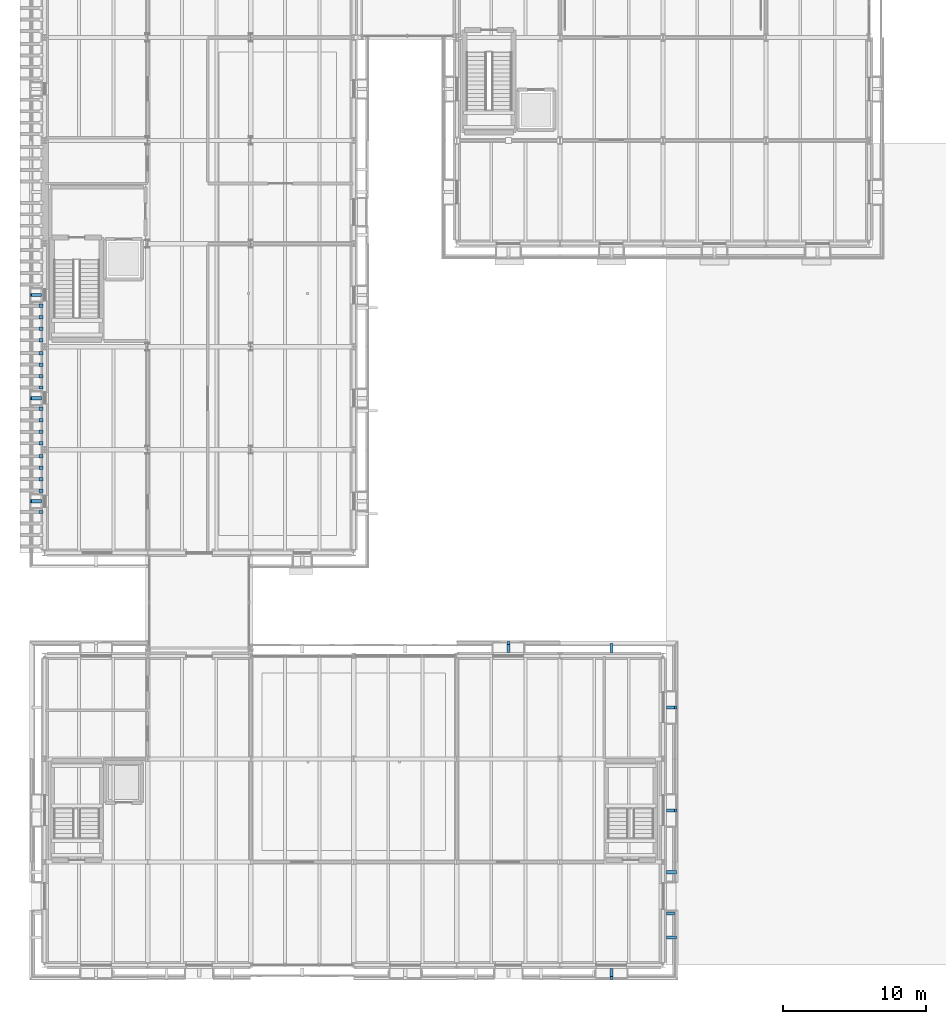
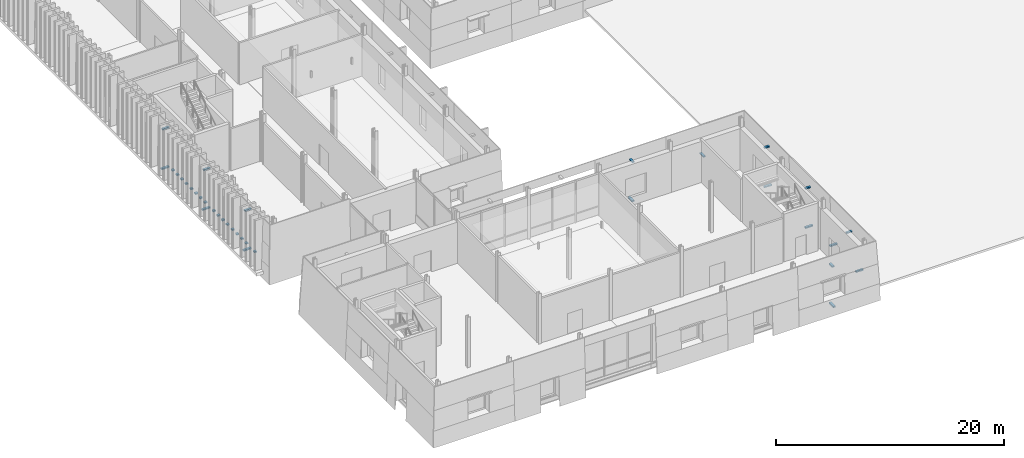
# One storey, part 87 of 120: 35 discrete accessories.
"""IFC4 building model written with IfcOpenShell, lengths in metres."""

from ifc_helpers import new_model, si_unit, direction, frame, origin, origin_2d, place, context, subcontext, project, spatial, rectangle, extrude, material, layer, layer_set, type_object, element, save


model = new_model("IFC4")

# Units and contexts
model_context = context("Model", 3, precision=1e-05, world=origin(), true_north=direction((0.0, 1.0)))
body_context = subcontext(model_context, "Body", "Model", "MODEL_VIEW")
ifc_project = project(units=[si_unit("LENGTHUNIT", "METRE"), si_unit("AREAUNIT", "SQUARE_METRE"), si_unit("VOLUMEUNIT", "CUBIC_METRE"), si_unit("PLANEANGLEUNIT", "RADIAN"), si_unit("MASSUNIT", "GRAM", prefix="KILO")], contexts=[model_context])

# Site, building, storey
site_placement = place(None, origin())
site = spatial("IfcSite", under=ifc_project, at=site_placement, CompositionType="ELEMENT")
building_placement = place(site_placement, origin())
building = spatial("IfcBuilding", under=site, at=building_placement, Name="Narikvali Park Central Library", CompositionType="ELEMENT")
storey_placement = place(building_placement, origin())
storey = spatial("IfcBuildingStorey", under=building, at=storey_placement, Name="L00", CompositionType="ELEMENT", Elevation=0.0)

# Discrete accessories
ifc_material_1 = material(Name="Brushed Stainless Steel S355", Category="steel")
ifc_layer_1 = layer(ifc_material_1, 0.139892578125, Name="Brushed Stainless Steel S355")
ifc_layer_set_1 = layer_set([ifc_layer_1], Name="Brushed Stainless Steel S355")
discrete_accessory_type_1 = type_object("IfcDiscreteAccessoryType", Name="Cladding Stainless Tie-Back Corbel Bracket", PredefinedType="BRACKET", material=ifc_layer_set_1)
discrete_accessory_1_placement = place(storey_placement, frame((39.60009765625, -0.61328125, -0.06005859375), z_axis=(0.0, 0.0, 1.0), x_axis=(1.0, 0.0, 0.0)))
element("IfcDiscreteAccessory", 1, at=discrete_accessory_1_placement, inside=storey, type_object=discrete_accessory_type_1, Name="Limestone Cladding Tie-Back Bracket V2-CLD-L00-S-B06-SP", PredefinedType="BRACKET", context=body_context, shape_type="SweptSolid", body=[
    extrude(rectangle(XDim=0.219970703125, YDim=0.7666015625, at=origin_2d()), origin(), (0.0, 0.0, 1.0), 0.139892578125),
])
discrete_accessory_2_placement = place(storey_placement, frame((39.60009765625, -0.515625, 4.1298828125), z_axis=(0.0, 0.0, 1.0), x_axis=(1.0, 0.0, 0.0)))
element("IfcDiscreteAccessory", 2, at=discrete_accessory_2_placement, inside=storey, type_object=discrete_accessory_type_1, Name="Limestone Cladding Tie-Back Bracket V2-CLD-L00-S-B06-LN", PredefinedType="BRACKET", context=body_context, shape_type="SweptSolid", body=[
    extrude(rectangle(XDim=0.219970703125, YDim=0.571044921875, at=origin_2d()), origin(), (0.0, 0.0, 1.0), 0.139892578125),
])
for number, where, z_axis, x_axis, name in (
    (3, (43.7958984375, 1.919921875, 0.60986328125), (0.0, 0.0, 1.0), (1.0, 0.0, 0.0), "Limestone Cladding Tie-Back Bracket V2-CLD-L00-E-B01-DL"),
    (4, (43.7958984375, 6.47998046875, 0.60986328125), (0.0, 0.0, 1.0), (1.0, 0.0, 0.0), "Limestone Cladding Tie-Back Bracket V2-CLD-L00-E-B01-DR"),
):
    element("IfcDiscreteAccessory", number, at=place(storey_placement, frame(where, z_axis=z_axis, x_axis=x_axis)), inside=storey, type_object=discrete_accessory_type_1, Name=name, PredefinedType="BRACKET", context=body_context, shape_type="SweptSolid", body=[
        extrude(rectangle(XDim=0.731689453125, YDim=0.219970703125, at=origin_2d()), origin(), (0.0, 0.0, 1.0), 0.139892578125),
    ])
discrete_accessory_3_placement = place(storey_placement, frame((43.7255859375, 3.60009765625, 3.75), z_axis=(0.0, 0.0, 1.0), x_axis=(1.0, 0.0, 0.0)))
element("IfcDiscreteAccessory", 5, at=discrete_accessory_3_placement, inside=storey, type_object=discrete_accessory_type_1, Name="Limestone Cladding Tie-Back Bracket V2-CLD-L00-E-B01-DH", PredefinedType="BRACKET", context=body_context, shape_type="SweptSolid", body=[
    extrude(rectangle(XDim=0.591064453125, YDim=0.219970703125, at=origin_2d()), origin(), (0.0, 0.0, 1.0), 0.139892578125),
])
discrete_accessory_4_placement = place(storey_placement, frame((43.813232421875, 10.800048828125, -0.06005859375), z_axis=(0.0, 0.0, 1.0), x_axis=(1.0, 0.0, 0.0)))
element("IfcDiscreteAccessory", 6, at=discrete_accessory_4_placement, inside=storey, type_object=discrete_accessory_type_1, Name="Limestone Cladding Tie-Back Bracket V2-CLD-L00-E-B02-SP", PredefinedType="BRACKET", context=body_context, shape_type="SweptSolid", body=[
    extrude(rectangle(XDim=0.7666015625, YDim=0.219970703125, at=origin_2d()), origin(), (0.0, 0.0, 1.0), 0.139892578125),
])
discrete_accessory_5_placement = place(storey_placement, frame((43.715576171875, 10.800048828125, 4.1298828125), z_axis=(0.0, 0.0, 1.0), x_axis=(1.0, 0.0, 0.0)))
element("IfcDiscreteAccessory", 7, at=discrete_accessory_5_placement, inside=storey, type_object=discrete_accessory_type_1, Name="Limestone Cladding Tie-Back Bracket V2-CLD-L00-E-B02-LN", PredefinedType="BRACKET", context=body_context, shape_type="SweptSolid", body=[
    extrude(rectangle(XDim=0.571044921875, YDim=0.219970703125, at=origin_2d()), origin(), (0.0, 0.0, 1.0), 0.139892578125),
])
discrete_accessory_6_placement = place(storey_placement, frame((43.813232421875, 18.0, -0.06005859375), z_axis=(0.0, 0.0, 1.0), x_axis=(1.0, 0.0, 0.0)))
element("IfcDiscreteAccessory", 8, at=discrete_accessory_6_placement, inside=storey, type_object=discrete_accessory_type_1, Name="Limestone Cladding Tie-Back Bracket V2-CLD-L00-E-B03-SP", PredefinedType="BRACKET", context=body_context, shape_type="SweptSolid", body=[
    extrude(rectangle(XDim=0.7666015625, YDim=0.219970703125, at=origin_2d()), origin(), (0.0, 0.0, 1.0), 0.139892578125),
])
discrete_accessory_7_placement = place(storey_placement, frame((43.715576171875, 18.0, 4.1298828125), z_axis=(0.0, 0.0, 1.0), x_axis=(1.0, 0.0, 0.0)))
element("IfcDiscreteAccessory", 9, at=discrete_accessory_7_placement, inside=storey, type_object=discrete_accessory_type_1, Name="Limestone Cladding Tie-Back Bracket V2-CLD-L00-E-B03-LN", PredefinedType="BRACKET", context=body_context, shape_type="SweptSolid", body=[
    extrude(rectangle(XDim=0.571044921875, YDim=0.219970703125, at=origin_2d()), origin(), (0.0, 0.0, 1.0), 0.139892578125),
])
discrete_accessory_8_placement = place(storey_placement, frame((39.60009765625, 22.15478515625, 2.18994140625), z_axis=(0.0, 0.0, 1.0), x_axis=(1.0, 0.0, 0.0)))
element("IfcDiscreteAccessory", 10, at=discrete_accessory_8_placement, inside=storey, type_object=discrete_accessory_type_1, Name="Limestone Cladding Tie-Back Bracket V2-CLD-L00-N-B01-FULL", PredefinedType="BRACKET", context=body_context, shape_type="SweptSolid", body=[
    extrude(rectangle(XDim=0.219970703125, YDim=0.6494140625, at=origin_2d()), origin(), (0.0, 0.0, 1.0), 0.139892578125),
])
discrete_accessory_9_placement = place(storey_placement, frame((32.39990234375, 22.21337890625, -0.06005859375), z_axis=(0.0, 0.0, 1.0), x_axis=(1.0, 0.0, 0.0)))
element("IfcDiscreteAccessory", 11, at=discrete_accessory_9_placement, inside=storey, type_object=discrete_accessory_type_1, Name="Limestone Cladding Tie-Back Bracket V2-CLD-L00-N-B02-SP", PredefinedType="BRACKET", context=body_context, shape_type="SweptSolid", body=[
    extrude(rectangle(XDim=0.219970703125, YDim=0.7666015625, at=origin_2d()), origin(), (0.0, 0.0, 1.0), 0.139892578125),
])
discrete_accessory_10_placement = place(storey_placement, frame((32.39990234375, 22.115478515625, 4.1298828125), z_axis=(0.0, 0.0, 1.0), x_axis=(1.0, 0.0, 0.0)))
element("IfcDiscreteAccessory", 12, at=discrete_accessory_10_placement, inside=storey, type_object=discrete_accessory_type_1, Name="Limestone Cladding Tie-Back Bracket V2-CLD-L00-N-B02-LN", PredefinedType="BRACKET", context=body_context, shape_type="SweptSolid", body=[
    extrude(rectangle(XDim=0.219970703125, YDim=0.571044921875, at=origin_2d()), origin(), (0.0, 0.0, 1.0), 0.139892578125),
])
discrete_accessory_11_placement = place(storey_placement, frame((-0.6181640625, 46.800048828125, -0.03515625), z_axis=(0.0, 0.0, 1.0), x_axis=(1.0, 0.0, 0.0)))
element("IfcDiscreteAccessory", 13, at=discrete_accessory_11_placement, inside=storey, type_object=discrete_accessory_type_1, Name="Limestone Cladding Tie-Back Bracket V5-CLD-L00-W-B09-SP", PredefinedType="BRACKET", context=body_context, shape_type="SweptSolid", body=[
    extrude(rectangle(XDim=0.776611328125, YDim=0.219970703125, at=origin_2d()), origin(), (0.0, 0.0, 1.0), 0.139892578125),
])
discrete_accessory_12_placement = place(storey_placement, frame((-0.564697265625, 46.800048828125, 4.18017578125), z_axis=(0.0, 0.0, 1.0), x_axis=(1.0, 0.0, 0.0)))
element("IfcDiscreteAccessory", 14, at=discrete_accessory_12_placement, inside=storey, type_object=discrete_accessory_type_1, Name="Limestone Cladding Tie-Back Bracket V5-CLD-L00-W-B09-LN", PredefinedType="BRACKET", context=body_context, shape_type="SweptSolid", body=[
    extrude(rectangle(XDim=0.66943359375, YDim=0.219970703125, at=origin_2d()), origin(), (0.0, 0.0, 1.0), 0.139892578125),
])
discrete_accessory_13_placement = place(storey_placement, frame((-0.6181640625, 39.60009765625, -0.03515625), z_axis=(0.0, 0.0, 1.0), x_axis=(1.0, 0.0, 0.0)))
element("IfcDiscreteAccessory", 15, at=discrete_accessory_13_placement, inside=storey, type_object=discrete_accessory_type_1, Name="Limestone Cladding Tie-Back Bracket V5-CLD-L00-W-B10-SP", PredefinedType="BRACKET", context=body_context, shape_type="SweptSolid", body=[
    extrude(rectangle(XDim=0.776611328125, YDim=0.219970703125, at=origin_2d()), origin(), (0.0, 0.0, 1.0), 0.139892578125),
])
discrete_accessory_14_placement = place(storey_placement, frame((-0.564697265625, 39.60009765625, 4.18017578125), z_axis=(0.0, 0.0, 1.0), x_axis=(1.0, 0.0, 0.0)))
element("IfcDiscreteAccessory", 16, at=discrete_accessory_14_placement, inside=storey, type_object=discrete_accessory_type_1, Name="Limestone Cladding Tie-Back Bracket V5-CLD-L00-W-B10-LN", PredefinedType="BRACKET", context=body_context, shape_type="SweptSolid", body=[
    extrude(rectangle(XDim=0.66943359375, YDim=0.219970703125, at=origin_2d()), origin(), (0.0, 0.0, 1.0), 0.139892578125),
])
discrete_accessory_15_placement = place(storey_placement, frame((-0.6181640625, 32.39990234375, -0.03515625), z_axis=(0.0, 0.0, 1.0), x_axis=(1.0, 0.0, 0.0)))
element("IfcDiscreteAccessory", 17, at=discrete_accessory_15_placement, inside=storey, type_object=discrete_accessory_type_1, Name="Limestone Cladding Tie-Back Bracket V5-CLD-L00-W-B11-SP", PredefinedType="BRACKET", context=body_context, shape_type="SweptSolid", body=[
    extrude(rectangle(XDim=0.776611328125, YDim=0.219970703125, at=origin_2d()), origin(), (0.0, 0.0, 1.0), 0.139892578125),
])
discrete_accessory_16_placement = place(storey_placement, frame((-0.564697265625, 32.39990234375, 4.18017578125), z_axis=(0.0, 0.0, 1.0), x_axis=(1.0, 0.0, 0.0)))
element("IfcDiscreteAccessory", 18, at=discrete_accessory_16_placement, inside=storey, type_object=discrete_accessory_type_1, Name="Limestone Cladding Tie-Back Bracket V5-CLD-L00-W-B11-LN", PredefinedType="BRACKET", context=body_context, shape_type="SweptSolid", body=[
    extrude(rectangle(XDim=0.66943359375, YDim=0.219970703125, at=origin_2d()), origin(), (0.0, 0.0, 1.0), 0.139892578125),
])
ifc_material_2 = material(Name="Galvanised Steel S355", Category="steel")
ifc_layer_2 = layer(ifc_material_2, 0.139892578125, Name="Galvanised Steel S355")
ifc_layer_set_2 = layer_set([ifc_layer_2], Name="Galvanised Steel S355")
discrete_accessory_type_2 = type_object("IfcDiscreteAccessoryType", Name="Fin Base Steel Fixing Bracket", PredefinedType="BRACKET", material=ifc_layer_set_2)
for number, where, z_axis, x_axis, name in (
    (19, (-0.260009765625, 31.64990234375, 0.05029296875), (0.0, 0.0, 1.0), (1.0, 0.0, 0.0), "Brick Fin Base Fixing Bracket 004"),
    (20, (-0.260009765625, 33.14990234375, 0.05029296875), (0.0, 0.0, 1.0), (1.0, 0.0, 0.0), "Brick Fin Base Fixing Bracket 005"),
    (21, (-0.260009765625, 33.949951171875, 0.05029296875), (0.0, 0.0, 1.0), (1.0, 0.0, 0.0), "Brick Fin Base Fixing Bracket 006"),
    (22, (-0.260009765625, 34.75, 0.05029296875), (0.0, 0.0, 1.0), (1.0, 0.0, 0.0), "Brick Fin Base Fixing Bracket 007"),
    (23, (-0.260009765625, 35.550048828125, 0.05029296875), (0.0, 0.0, 1.0), (1.0, 0.0, 0.0), "Brick Fin Base Fixing Bracket 008"),
    (24, (-0.260009765625, 36.449951171875, 0.05029296875), (0.0, 0.0, 1.0), (1.0, 0.0, 0.0), "Brick Fin Base Fixing Bracket 009"),
    (25, (-0.260009765625, 37.25, 0.05029296875), (0.0, 0.0, 1.0), (1.0, 0.0, 0.0), "Brick Fin Base Fixing Bracket 010"),
    (26, (-0.260009765625, 38.050048828125, 0.05029296875), (0.0, 0.0, 1.0), (1.0, 0.0, 0.0), "Brick Fin Base Fixing Bracket 011"),
    (27, (-0.260009765625, 38.85009765625, 0.05029296875), (0.0, 0.0, 1.0), (1.0, 0.0, 0.0), "Brick Fin Base Fixing Bracket 012"),
    (28, (-0.260009765625, 40.35009765625, 0.05029296875), (0.0, 0.0, 1.0), (1.0, 0.0, 0.0), "Brick Fin Base Fixing Bracket 013"),
    (29, (-0.260009765625, 41.14990234375, 0.05029296875), (0.0, 0.0, 1.0), (1.0, 0.0, 0.0), "Brick Fin Base Fixing Bracket 014"),
    (30, (-0.260009765625, 41.949951171875, 0.05029296875), (0.0, 0.0, 1.0), (1.0, 0.0, 0.0), "Brick Fin Base Fixing Bracket 015"),
    (31, (-0.260009765625, 42.75, 0.05029296875), (0.0, 0.0, 1.0), (1.0, 0.0, 0.0), "Brick Fin Base Fixing Bracket 016"),
    (32, (-0.260009765625, 43.64990234375, 0.05029296875), (0.0, 0.0, 1.0), (1.0, 0.0, 0.0), "Brick Fin Base Fixing Bracket 017"),
    (33, (-0.260009765625, 44.449951171875, 0.05029296875), (0.0, 0.0, 1.0), (1.0, 0.0, 0.0), "Brick Fin Base Fixing Bracket 018"),
    (34, (-0.260009765625, 45.25, 0.05029296875), (0.0, 0.0, 1.0), (1.0, 0.0, 0.0), "Brick Fin Base Fixing Bracket 019"),
    (35, (-0.260009765625, 46.050048828125, 0.05029296875), (0.0, 0.0, 1.0), (1.0, 0.0, 0.0), "Brick Fin Base Fixing Bracket 020"),
):
    element("IfcDiscreteAccessory", number, at=place(storey_placement, frame(where, z_axis=z_axis, x_axis=x_axis)), inside=storey, type_object=discrete_accessory_type_2, Name=name, PredefinedType="BRACKET", context=body_context, shape_type="SweptSolid", body=[
        extrude(rectangle(XDim=0.260009765625, YDim=0.239990234375, at=origin_2d()), origin(), (0.0, 0.0, 1.0), 0.139892578125),
    ])

save(model, "model.ifc")
